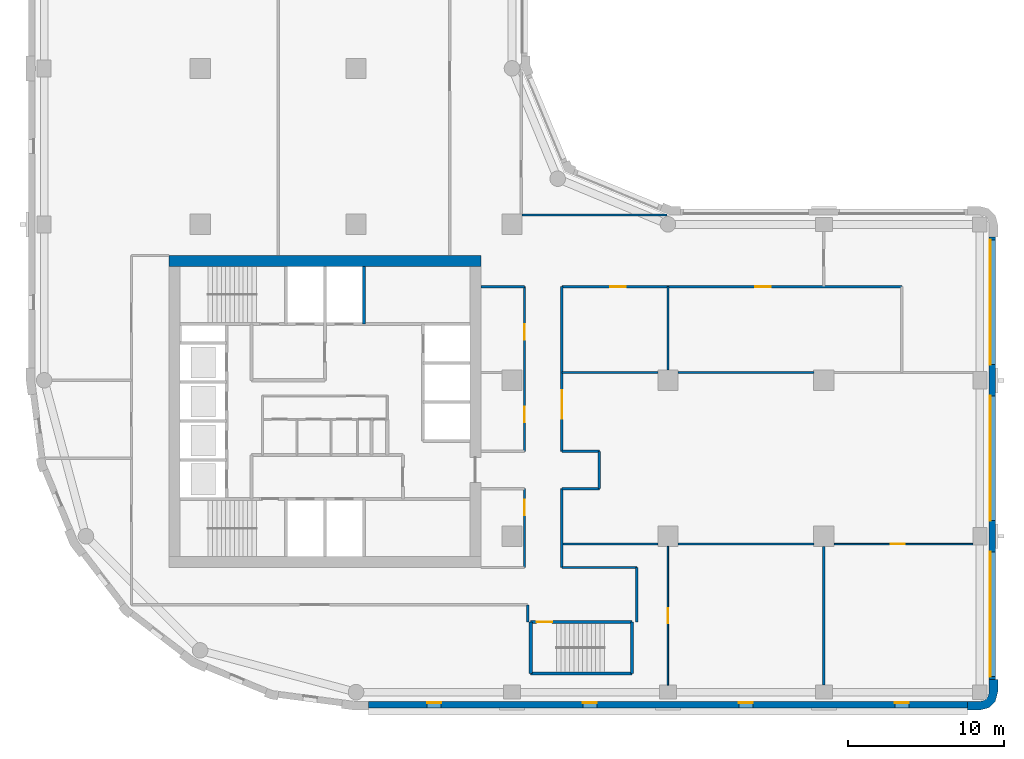
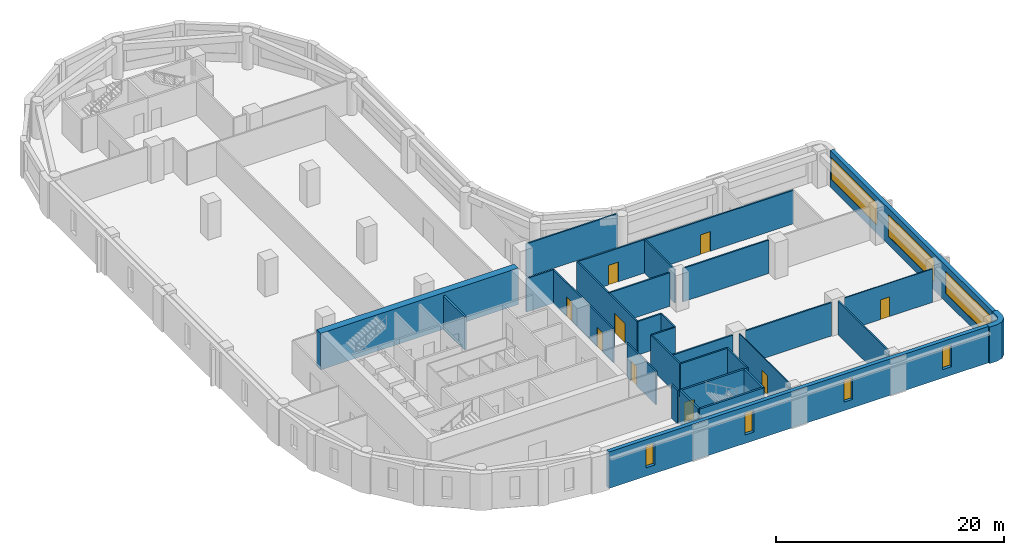
# One storey, part 4 of 9: 30 walls, 9 doors, 7 windows, 16 openings.
"""IFC4 building model written with IfcOpenShell, lengths in metres."""

import ifcopenshell
import ifcopenshell.guid

model = None  # the IFC model being written
_history = None  # IfcOwnerHistory: only IFC2X3 demands one
_inside = {}  # id of a spatial element -> (the spatial element, [elements in it])
_under = {}  # id of a project, library or spatial element -> (it, [spatial elements below it])
_declared = {}  # id of a project -> (the project, [libraries it declares])
_typed = {}  # id of a type object -> (the type object, [elements of that type])
_made_of = {}  # id of a material, layer set ... -> (it, [elements and type objects made of it])


def new_model(schema):
    """Start an empty IFC model of exactly this schema.

    Asked for "IFC4X3", IfcOpenShell would pick the latest addendum, in which some entities
    have other attributes; the version numbers below select the first issue.
    IFC2X3 requires an IfcOwnerHistory on every rooted entity: one is made here for all.
    """
    global model, _history
    if schema == "IFC4X3":
        model = ifcopenshell.file(schema_version=(4, 3, 0, 0))
    else:
        model = ifcopenshell.file(schema=schema)
    _inside.clear()
    _under.clear()
    _declared.clear()
    _typed.clear()
    _made_of.clear()
    _history = None
    if model.schema == "IFC2X3":
        org = make("IfcOrganization", Name="unknown")
        user = make(
            "IfcPersonAndOrganization",
            ThePerson=make("IfcPerson", FamilyName="unknown"),
            TheOrganization=org,
        )
        app = make(
            "IfcApplication",
            ApplicationDeveloper=org,
            Version="unknown",
            ApplicationFullName="unknown",
            ApplicationIdentifier="unknown",
        )
        _history = make(
            "IfcOwnerHistory",
            OwningUser=user,
            OwningApplication=app,
            ChangeAction="ADDED",
            CreationDate=0,
        )
    return model


def make(cls, **values):
    """One entity of the class cls with the attributes given. An attribute that is None is left unset."""
    return model.create_entity(
        cls, **{name: value for name, value in values.items() if value is not None}
    )


def rooted(cls, **values):
    """An entity with a GlobalId (a new one), such as an element, a storey or a relation."""
    return make(cls, GlobalId=ifcopenshell.guid.new(), OwnerHistory=_history, **values)


def si_unit(unit_type, name, prefix=None):
    """IfcSIUnit, for example si_unit("LENGTHUNIT", "METRE", prefix="MILLI")."""
    return make("IfcSIUnit", UnitType=unit_type, Prefix=prefix, Name=name)


def assignment(units):
    """IfcUnitAssignment: the units of a project."""
    return None if units is None else make("IfcUnitAssignment", Units=units)


def point(xyz):
    """IfcCartesianPoint."""
    return None if xyz is None else make("IfcCartesianPoint", Coordinates=xyz)


def direction(xyz):
    """IfcDirection."""
    return None if xyz is None else make("IfcDirection", DirectionRatios=xyz)


def frame(location, z_axis=None, x_axis=None):
    """IfcAxis2Placement3D, a coordinate frame: its origin and axes. An axis left out is left unset."""
    return make(
        "IfcAxis2Placement3D",
        Location=point(location),
        Axis=direction(z_axis),
        RefDirection=direction(x_axis),
    )


def frame_2d(location, x_axis=None):
    """IfcAxis2Placement2D, a coordinate frame in the plane: its origin and x axis."""
    return make(
        "IfcAxis2Placement2D", Location=point(location), RefDirection=direction(x_axis)
    )


def origin():
    """The frame at (0, 0, 0) with its axes left unset."""
    return frame((0.0, 0.0, 0.0))


def place(relative_to, where):
    """IfcLocalPlacement: puts the frame where relative to a parent placement (None: the world)."""
    return make(
        "IfcLocalPlacement", PlacementRelTo=relative_to, RelativePlacement=where
    )


def context(
    kind, dimensions, precision=None, world=None, true_north=None, identifier=None
):
    """IfcGeometricRepresentationContext, for example the 3D "Model" context."""
    return make(
        "IfcGeometricRepresentationContext",
        ContextIdentifier=identifier,
        ContextType=kind,
        CoordinateSpaceDimension=dimensions,
        Precision=precision,
        WorldCoordinateSystem=world,
        TrueNorth=true_north,
    )


def subcontext(parent, identifier, kind, view, scale=None):
    """IfcGeometricRepresentationSubContext, for example "Body" below "Model"."""
    return make(
        "IfcGeometricRepresentationSubContext",
        ContextIdentifier=identifier,
        ContextType=kind,
        ParentContext=parent,
        TargetScale=scale,
        TargetView=view,
    )


def project(units=None, contexts=None):
    """IfcProject with its units and contexts."""
    return rooted(
        "IfcProject",
        Name="project",
        RepresentationContexts=contexts,
        UnitsInContext=assignment(units),
    )


def spatial(cls, under=None, at=None, **own):
    """A site, building, storey or space (cls), placed at a placement, below another one or the project."""
    s = rooted(cls, ObjectPlacement=at, **own)
    if under is not None:
        _under.setdefault(under.id(), (under, []))[1].append(s)
    return s


def polyline(points):
    """IfcPolyline through the points."""
    return make("IfcPolyline", Points=[point(p) for p in points])


def profile(cls, at=None, kind="AREA", **sizes):
    """A parametric profile (cls). Its sizes go by their IFC names, for example OverallWidth=200.0."""
    return make(cls, ProfileType=kind, Position=at, **sizes)


def rectangle(**sizes):
    """IfcRectangleProfileDef."""
    return profile("IfcRectangleProfileDef", **sizes)


def outline(outer, holes=None, kind="AREA"):
    """IfcArbitraryClosedProfileDef: a profile drawn as a closed curve; with holes, ...WithVoids."""
    if holes is None:
        return make("IfcArbitraryClosedProfileDef", ProfileType=kind, OuterCurve=outer)
    return make(
        "IfcArbitraryProfileDefWithVoids",
        ProfileType=kind,
        OuterCurve=outer,
        InnerCurves=holes,
    )


def extrude(swept, where, along, depth):
    """IfcExtrudedAreaSolid: the profile swept, set in the frame where, extruded along a direction by depth."""
    return make(
        "IfcExtrudedAreaSolid",
        SweptArea=swept,
        Position=where,
        ExtrudedDirection=direction(along),
        Depth=depth,
    )


def shape(context_of_items, identifier, shape_type, items):
    """IfcShapeRepresentation: the items that make up one representation, for example the "Body"."""
    return make(
        "IfcShapeRepresentation",
        ContextOfItems=context_of_items,
        RepresentationIdentifier=identifier,
        RepresentationType=shape_type,
        Items=items,
    )


def material(Name=None, Category=None):
    """IfcMaterial."""
    return make("IfcMaterial", Name=Name, Category=Category)


def layer(
    of_material, thickness, ventilated=None, Name=None, Category=None, Priority=None
):
    """IfcMaterialLayer: one layer of a wall or slab, of a material (None: an air gap)."""
    return make(
        "IfcMaterialLayer",
        Material=of_material,
        LayerThickness=thickness,
        IsVentilated=ventilated,
        Name=Name,
        Category=Category,
        Priority=Priority,
    )


def layer_set(layers, Name=None):
    """IfcMaterialLayerSet."""
    return make("IfcMaterialLayerSet", MaterialLayers=layers, LayerSetName=Name)


def made_of(thing, what):
    """Note that an element or type object is made of a material, layer set ...; save() writes the relation."""
    if what is not None:
        _made_of.setdefault(what.id(), (what, []))[1].append(thing)
    return thing


def type_object(cls, material=None, **own):
    """A type object (cls), such as IfcWallType, which elements share."""
    return made_of(rooted(cls, **own), material)


def element(
    cls,
    number,
    at=None,
    inside=None,
    cuts=None,
    type_object=None,
    material=None,
    context=None,
    identifier="Body",
    shape_type=None,
    held_by="IfcProductDefinitionShape",
    body=None,
    shapes=None,
    **own,
):
    """One element of the class cls, such as IfcWall. Its Tag is "e" and its number.

    at: its placement. inside: the storey or other place that contains it. cuts: it is an
    opening in that element (IfcRelVoidsElement). A single representation is given by context,
    identifier, shape_type and body (its items); several are given by shapes. held_by: the class
    of the entity that holds the representations. save() writes the other relations.
    """
    e = rooted(cls, Tag="e%d" % number, ObjectPlacement=at, **own)
    if body is not None:
        shapes = [shape(context, identifier, shape_type, body)]
    if shapes is not None:
        e.Representation = make(held_by, Representations=shapes)
    if inside is not None:
        _inside.setdefault(inside.id(), (inside, []))[1].append(e)
    if cuts is not None:
        rooted(
            "IfcRelVoidsElement", RelatingBuildingElement=cuts, RelatedOpeningElement=e
        )
    if type_object is not None:
        _typed.setdefault(type_object.id(), (type_object, []))[1].append(e)
    return made_of(e, material)


def fill(opening, filler):
    """IfcRelFillsElement: the door or window that sits in an opening."""
    return rooted(
        "IfcRelFillsElement",
        RelatingOpeningElement=opening,
        RelatedBuildingElement=filler,
    )


def aggregate(whole, parts):
    """IfcRelAggregates: a whole, such as a stair, and the parts it consists of."""
    return rooted("IfcRelAggregates", RelatingObject=whole, RelatedObjects=parts)


def save(model, path):
    """Write the relations noted so far, then the file.

    IfcRelAggregates (storeys below a building ...), IfcRelContainedInSpatialStructure (elements
    in a storey), IfcRelDefinesByType, IfcRelAssociatesMaterial and IfcRelDeclares: one each for
    every whole, place, type object, material and project.
    """
    for whole, parts in _under.values():
        aggregate(whole, parts)
    for where, things in _inside.values():
        rooted(
            "IfcRelContainedInSpatialStructure",
            RelatedElements=things,
            RelatingStructure=where,
        )
    for kind, things in _typed.values():
        rooted("IfcRelDefinesByType", RelatedObjects=things, RelatingType=kind)
    for what, things in _made_of.values():
        rooted("IfcRelAssociatesMaterial", RelatedObjects=things, RelatingMaterial=what)
    for by, libraries in _declared.values():
        rooted("IfcRelDeclares", RelatingContext=by, RelatedDefinitions=libraries)
    model.write(path)


model = new_model("IFC4")

# Units and contexts
model_context = context("Model", 3, precision=1e-05, world=origin(), true_north=direction((0.0, 1.0)))
body_context = subcontext(model_context, "Body", "Model", "MODEL_VIEW")
ifc_project = project(units=[si_unit("LENGTHUNIT", "METRE"), si_unit("AREAUNIT", "SQUARE_METRE"), si_unit("VOLUMEUNIT", "CUBIC_METRE"), si_unit("PLANEANGLEUNIT", "RADIAN"), si_unit("MASSUNIT", "GRAM", prefix="KILO")], contexts=[model_context])

# Site, building, storey
site_placement = place(None, origin())
site = spatial("IfcSite", under=ifc_project, at=site_placement, CompositionType="ELEMENT")
building_placement = place(site_placement, origin())
building = spatial("IfcBuilding", under=site, at=building_placement, Name="Qaws Garden Tower", CompositionType="ELEMENT")
storey_placement = place(building_placement, frame((0.0, 0.0, 213.60009765625)))
storey = spatial("IfcBuildingStorey", under=building, at=storey_placement, Name="L52", CompositionType="ELEMENT", Elevation=213.60009765625)

# Wall
ifc_material_1 = material(Name="Clay facing brick masonry", Category="masonry")
ifc_layer_1 = layer(ifc_material_1, 0.550048828125)
ifc_layer_set_1 = layer_set([ifc_layer_1], Name="Clay facing brick masonry")
wall_type_1 = type_object("IfcWallType", Name="Brick corner pier 550 x 2400", PredefinedType="SOLIDWALL", material=ifc_layer_set_1)
wall_1_placement = place(storey_placement, origin())
element("IfcWall", 1, at=wall_1_placement, inside=storey, type_object=wall_type_1, Name="E-L52-pier-04", PredefinedType="SOLIDWALL", context=body_context, shape_type="SweptSolid", body=[
    extrude(outline(polyline([(59.199951171875, -1.0), (59.199951171875, -1.14990234375), (60.0, -1.14990234375), (60.574951171875, -0.995849609375), (60.995849609375, -0.574951171875), (61.14990234375, 0.0), (61.14990234375, 0.800048828125), (61.0, 0.800048828125), (60.60009765625, 0.800048828125), (60.60009765625, 0.0), (60.51953125, -0.300048828125), (60.300048828125, -0.51953125), (60.0, -0.60009765625), (59.199951171875, -0.60009765625), (59.199951171875, -1.0)])), origin(), (0.0, 0.0, 1.0), 3.89990234375),
])

# Wall, openings, windows
ifc_material_2 = material(Name="Clay facing brick masonry", Category="masonry")
ifc_layer_2 = layer(ifc_material_2, 0.39990234375)
ifc_layer_set_2 = layer_set([ifc_layer_2], Name="Clay facing brick masonry")
wall_type_2 = type_object("IfcWallType", Name="Brick infill wall 400", PredefinedType="SOLIDWALL", material=ifc_layer_set_2)
wall_2_placement = place(storey_placement, frame((20.800048828125, -0.800048828125, 0.0), z_axis=(0.0, 0.0, 1.0), x_axis=(1.0, 0.0, 0.0)))
wall_2 = element("IfcWall", 2, at=wall_2_placement, inside=storey, type_object=wall_type_2, Name="E-L52-infill-00", PredefinedType="SOLIDWALL", context=body_context, shape_type="SweptSolid", body=[
    extrude(rectangle(XDim=38.39990234375, YDim=0.39990234375, at=frame_2d((19.199951171875, 0.0))), origin(), (0.0, 0.0, 1.0), 3.89990234375),
])
opening_1_placement = place(wall_2_placement, frame((3.75, 0.0, 0.89990234375)))
opening_1 = element("IfcOpeningElement", 3, at=opening_1_placement, cuts=wall_2, Name="Opening W09", PredefinedType="OPENING", context=body_context, shape_type="SweptSolid", body=[
    extrude(rectangle(XDim=0.89990234375, YDim=2.35009765625, at=frame_2d((0.449951171875, 1.175048828125))), frame((0.0, 0.2099609375, 0.0), z_axis=(0.0, -1.0, 0.0), x_axis=(1.0, 0.0, 0.0)), (0.0, 0.0, 1.0), 0.419921875),
])
opening_2_placement = place(wall_2_placement, frame((13.75, 0.0, 0.89990234375)))
opening_2 = element("IfcOpeningElement", 4, at=opening_2_placement, cuts=wall_2, Name="Opening W09", PredefinedType="OPENING", context=body_context, shape_type="SweptSolid", body=[
    extrude(rectangle(XDim=0.89990234375, YDim=2.35009765625, at=frame_2d((0.449951171875, 1.175048828125))), frame((0.0, 0.2099609375, 0.0), z_axis=(0.0, -1.0, 0.0), x_axis=(1.0, 0.0, 0.0)), (0.0, 0.0, 1.0), 0.419921875),
])
opening_3_placement = place(wall_2_placement, frame((23.75, 0.0, 0.89990234375)))
opening_3 = element("IfcOpeningElement", 5, at=opening_3_placement, cuts=wall_2, Name="Opening W09", PredefinedType="OPENING", context=body_context, shape_type="SweptSolid", body=[
    extrude(rectangle(XDim=0.89990234375, YDim=2.35009765625, at=frame_2d((0.449951171875, 1.175048828125))), frame((0.0, 0.2099609375, 0.0), z_axis=(0.0, -1.0, 0.0), x_axis=(1.0, 0.0, 0.0)), (0.0, 0.0, 1.0), 0.419921875),
])
opening_4_placement = place(wall_2_placement, frame((33.75, 0.0, 0.89990234375)))
opening_4 = element("IfcOpeningElement", 6, at=opening_4_placement, cuts=wall_2, Name="Opening W09", PredefinedType="OPENING", context=body_context, shape_type="SweptSolid", body=[
    extrude(rectangle(XDim=0.89990234375, YDim=2.35009765625, at=frame_2d((0.449951171875, 1.175048828125))), frame((0.0, 0.2099609375, 0.0), z_axis=(0.0, -1.0, 0.0), x_axis=(1.0, 0.0, 0.0)), (0.0, 0.0, 1.0), 0.419921875),
])
ifc_material_3 = material(Name="Aluminium framed window, clear glazing", Category="aluminium")
window_type_1 = type_object("IfcWindowType", Name="Slit window 900 x 2350", PartitioningType="SINGLE_PANEL", PredefinedType="WINDOW", material=ifc_material_3)
window_1_placement = place(opening_1_placement, origin())
window_1 = element("IfcWindow", 7, at=window_1_placement, inside=storey, type_object=window_type_1, Name="E-L52-window-00-0", OverallHeight=2.35009765625, OverallWidth=0.89990234375, PartitioningType="SINGLE_PANEL", PredefinedType="WINDOW", context=body_context, shape_type="SweptSolid", body=[
    extrude(rectangle(XDim=0.89990234375, YDim=2.35009765625, at=frame_2d((0.449951171875, 1.175048828125))), frame((0.0, 0.159912109375, 0.0), z_axis=(0.0, -1.0, 0.0), x_axis=(1.0, 0.0, 0.0)), (0.0, 0.0, 1.0), 0.06005859375),
])
fill(opening_1, window_1)
window_2_placement = place(opening_2_placement, origin())
window_2 = element("IfcWindow", 8, at=window_2_placement, inside=storey, type_object=window_type_1, Name="E-L52-window-01-0", OverallHeight=2.35009765625, OverallWidth=0.89990234375, PartitioningType="SINGLE_PANEL", PredefinedType="WINDOW", context=body_context, shape_type="SweptSolid", body=[
    extrude(rectangle(XDim=0.89990234375, YDim=2.35009765625, at=frame_2d((0.449951171875, 1.175048828125))), frame((0.0, 0.159912109375, 0.0), z_axis=(0.0, -1.0, 0.0), x_axis=(1.0, 0.0, 0.0)), (0.0, 0.0, 1.0), 0.06005859375),
])
fill(opening_2, window_2)
window_3_placement = place(opening_3_placement, origin())
window_3 = element("IfcWindow", 9, at=window_3_placement, inside=storey, type_object=window_type_1, Name="E-L52-window-02-0", OverallHeight=2.35009765625, OverallWidth=0.89990234375, PartitioningType="SINGLE_PANEL", PredefinedType="WINDOW", context=body_context, shape_type="SweptSolid", body=[
    extrude(rectangle(XDim=0.89990234375, YDim=2.35009765625, at=frame_2d((0.449951171875, 1.175048828125))), frame((0.0, 0.159912109375, 0.0), z_axis=(0.0, -1.0, 0.0), x_axis=(1.0, 0.0, 0.0)), (0.0, 0.0, 1.0), 0.06005859375),
])
fill(opening_3, window_3)
window_4_placement = place(opening_4_placement, origin())
window_4 = element("IfcWindow", 10, at=window_4_placement, inside=storey, type_object=window_type_1, Name="E-L52-window-03-0", OverallHeight=2.35009765625, OverallWidth=0.89990234375, PartitioningType="SINGLE_PANEL", PredefinedType="WINDOW", context=body_context, shape_type="SweptSolid", body=[
    extrude(rectangle(XDim=0.89990234375, YDim=2.35009765625, at=frame_2d((0.449951171875, 1.175048828125))), frame((0.0, 0.159912109375, 0.0), z_axis=(0.0, -1.0, 0.0), x_axis=(1.0, 0.0, 0.0)), (0.0, 0.0, 1.0), 0.06005859375),
])
fill(opening_4, window_4)

wall_3_placement = place(storey_placement, frame((60.800048828125, 0.800048828125, 0.0), z_axis=(0.0, 0.0, 1.0), x_axis=(0.0, 1.0, 0.0)))
wall_3 = element("IfcWall", 11, at=wall_3_placement, inside=storey, type_object=wall_type_2, Name="E-L52-infill-04", PredefinedType="SOLIDWALL", context=body_context, shape_type="SweptSolid", body=[
    extrude(rectangle(XDim=28.39990234375, YDim=0.39990234375, at=frame_2d((14.199951171875, 0.0))), origin(), (0.0, 0.0, 1.0), 3.89990234375),
])
opening_5_placement = place(wall_3_placement, frame((0.199951171875, 0.0, 0.89990234375)))
opening_5 = element("IfcOpeningElement", 12, at=opening_5_placement, cuts=wall_3, Name="Opening W01", PredefinedType="OPENING", context=body_context, shape_type="SweptSolid", body=[
    extrude(rectangle(XDim=8.0, YDim=2.35009765625, at=frame_2d((4.0, 1.175048828125))), frame((0.0, 0.2099609375, 0.0), z_axis=(0.0, -1.0, 0.0), x_axis=(1.0, 0.0, 0.0)), (0.0, 0.0, 1.0), 0.419921875),
])
opening_6_placement = place(wall_3_placement, frame((10.199951171875, 0.0, 0.89990234375)))
opening_6 = element("IfcOpeningElement", 13, at=opening_6_placement, cuts=wall_3, Name="Opening W01", PredefinedType="OPENING", context=body_context, shape_type="SweptSolid", body=[
    extrude(rectangle(XDim=8.0, YDim=2.35009765625, at=frame_2d((4.0, 1.175048828125))), frame((0.0, 0.2099609375, 0.0), z_axis=(0.0, -1.0, 0.0), x_axis=(1.0, 0.0, 0.0)), (0.0, 0.0, 1.0), 0.419921875),
])
opening_7_placement = place(wall_3_placement, frame((20.199951171875, 0.0, 0.89990234375)))
opening_7 = element("IfcOpeningElement", 14, at=opening_7_placement, cuts=wall_3, Name="Opening W01", PredefinedType="OPENING", context=body_context, shape_type="SweptSolid", body=[
    extrude(rectangle(XDim=8.0, YDim=2.35009765625, at=frame_2d((4.0, 1.175048828125))), frame((0.0, 0.2099609375, 0.0), z_axis=(0.0, -1.0, 0.0), x_axis=(1.0, 0.0, 0.0)), (0.0, 0.0, 1.0), 0.419921875),
])
ifc_material_4 = material(Name="Aluminium framed window, clear glazing", Category="aluminium")
window_type_2 = type_object("IfcWindowType", Name="Ribbon window 8000 x 2350", PartitioningType="DOUBLE_PANEL_VERTICAL", PredefinedType="WINDOW", material=ifc_material_4)
window_5_placement = place(opening_5_placement, origin())
window_5 = element("IfcWindow", 15, at=window_5_placement, inside=storey, type_object=window_type_2, Name="E-L52-window-04-0", OverallHeight=2.35009765625, OverallWidth=8.0, PartitioningType="SINGLE_PANEL", PredefinedType="WINDOW", context=body_context, shape_type="SweptSolid", body=[
    extrude(rectangle(XDim=8.0, YDim=2.35009765625, at=frame_2d((4.0, 1.175048828125))), frame((0.0, 0.159912109375, 0.0), z_axis=(0.0, -1.0, 0.0), x_axis=(1.0, 0.0, 0.0)), (0.0, 0.0, 1.0), 0.06005859375),
])
fill(opening_5, window_5)
window_6_placement = place(opening_6_placement, origin())
window_6 = element("IfcWindow", 16, at=window_6_placement, inside=storey, type_object=window_type_2, Name="E-L52-window-05-0", OverallHeight=2.35009765625, OverallWidth=8.0, PartitioningType="SINGLE_PANEL", PredefinedType="WINDOW", context=body_context, shape_type="SweptSolid", body=[
    extrude(rectangle(XDim=8.0, YDim=2.35009765625, at=frame_2d((4.0, 1.175048828125))), frame((0.0, 0.159912109375, 0.0), z_axis=(0.0, -1.0, 0.0), x_axis=(1.0, 0.0, 0.0)), (0.0, 0.0, 1.0), 0.06005859375),
])
fill(opening_6, window_6)
window_7_placement = place(opening_7_placement, origin())
window_7 = element("IfcWindow", 17, at=window_7_placement, inside=storey, type_object=window_type_2, Name="E-L52-window-06-0", OverallHeight=2.35009765625, OverallWidth=8.0, PartitioningType="SINGLE_PANEL", PredefinedType="WINDOW", context=body_context, shape_type="SweptSolid", body=[
    extrude(rectangle(XDim=8.0, YDim=2.35009765625, at=frame_2d((4.0, 1.175048828125))), frame((0.0, 0.159912109375, 0.0), z_axis=(0.0, -1.0, 0.0), x_axis=(1.0, 0.0, 0.0)), (0.0, 0.0, 1.0), 0.06005859375),
])
fill(opening_7, window_7)

# Wall
ifc_material_5 = material(Name="Concrete C70", Category="concrete")
ifc_layer_3 = layer(ifc_material_5, 0.199951171875)
ifc_layer_set_3 = layer_set([ifc_layer_3], Name="Concrete C70")
wall_type_3 = type_object("IfcWallType", Name="Core shaft wall 200 C70", PredefinedType="SHEAR", material=ifc_layer_set_3)
wall_4_placement = place(storey_placement, frame((31.199951171875, 1.199951171875, 0.0), z_axis=(0.0, 0.0, 1.0), x_axis=(1.0, 0.0, 0.0)))
element("IfcWall", 18, at=wall_4_placement, inside=storey, type_object=wall_type_3, Name="Shaft wall", PredefinedType="SHEAR", context=body_context, shape_type="SweptSolid", body=[
    extrude(rectangle(XDim=6.5, YDim=0.199951171875, at=frame_2d((3.25, 0.0))), origin(), (0.0, 0.0, 1.0), 3.579833984375),
])

# Wall, opening, door
wall_5_placement = place(storey_placement, frame((31.199951171875, 4.5, 0.0), z_axis=(0.0, 0.0, 1.0), x_axis=(1.0, 0.0, 0.0)))
wall_5 = element("IfcWall", 19, at=wall_5_placement, inside=storey, type_object=wall_type_3, Name="Shaft wall", PredefinedType="SHEAR", context=body_context, shape_type="SweptSolid", body=[
    extrude(rectangle(XDim=6.5, YDim=0.199951171875, at=frame_2d((3.25, 0.0))), origin(), (0.0, 0.0, 1.0), 3.579833984375),
])
opening_8_placement = place(wall_5_placement, frame((0.375, 0.0, 0.0)))
opening_8 = element("IfcOpeningElement", 20, at=opening_8_placement, cuts=wall_5, Name="Opening SD12", PredefinedType="OPENING", context=body_context, shape_type="SweptSolid", body=[
    extrude(rectangle(XDim=1.0, YDim=2.10009765625, at=frame_2d((0.5, 1.050048828125))), frame((0.0, 0.10986328125, 0.0), z_axis=(0.0, -1.0, 0.0), x_axis=(1.0, 0.0, 0.0)), (0.0, 0.0, 1.0), 0.219970703125),
])
ifc_material_6 = material(Name="Steel S235", Category="steel")
door_type_1 = type_object("IfcDoorType", Name="Stair door 1000x2100", OperationType="SINGLE_SWING_RIGHT", PredefinedType="DOOR", material=ifc_material_6)
door_1_placement = place(opening_8_placement, frame((1.0, 0.0, 0.0), z_axis=(0.0, 0.0, 1.0), x_axis=(-1.0, 0.0, 0.0)))
door_1 = element("IfcDoor", 21, at=door_1_placement, inside=storey, type_object=door_type_1, Name="Stair 5 door", OperationType="SINGLE_SWING_RIGHT", OverallHeight=2.10009765625, OverallWidth=1.0, PredefinedType="DOOR", context=body_context, shape_type="SweptSolid", body=[
    extrude(rectangle(XDim=1.0, YDim=2.10009765625, at=frame_2d((0.5, 1.050048828125))), frame((0.0, 0.02490234375, 0.0), z_axis=(0.0, -1.0, 0.0), x_axis=(1.0, 0.0, 0.0)), (0.0, 0.0, 1.0), 0.050048828125),
])
fill(opening_8, door_1)

# Walls
wall_6_placement = place(storey_placement, frame((20.5, 23.60009765625, 0.0), z_axis=(0.0, 0.0, 1.0), x_axis=(0.0, 1.0, 0.0)))
element("IfcWall", 22, at=wall_6_placement, inside=storey, type_object=wall_type_3, Name="Shaft wall", PredefinedType="SHEAR", context=body_context, shape_type="SweptSolid", body=[
    extrude(rectangle(XDim=3.699951171875, YDim=0.199951171875, at=frame_2d((1.85009765625, 0.0))), origin(), (0.0, 0.0, 1.0), 3.579833984375),
])
for number, where, z_axis, x_axis, name in (
    (23, (31.199951171875, 1.199951171875, 0.0), (0.0, 0.0, 1.0), (0.0, 1.0, 0.0), "Shaft wall"),
    (24, (37.699951171875, 1.199951171875, 0.0), (0.0, 0.0, 1.0), (0.0, 1.0, 0.0), "Shaft wall"),
):
    element("IfcWall", number, at=place(storey_placement, frame(where, z_axis=z_axis, x_axis=x_axis)), inside=storey, type_object=wall_type_3, Name=name, PredefinedType="SHEAR", context=body_context, shape_type="SweptSolid", body=[
        extrude(rectangle(XDim=3.300048828125, YDim=0.199951171875, at=frame_2d((1.64990234375, 0.0))), origin(), (0.0, 0.0, 1.0), 3.579833984375),
    ])
ifc_material_7 = material(Name="Concrete C70", Category="concrete")
ifc_layer_4 = layer(ifc_material_7, 0.699951171875)
ifc_layer_set_4 = layer_set([ifc_layer_4], Name="Concrete C70")
wall_type_4 = type_object("IfcWallType", Name="Core wall 700 C70", PredefinedType="SHEAR", material=ifc_layer_set_4)
wall_7_placement = place(storey_placement, frame((28.0, 27.64990234375, 0.0), z_axis=(0.0, 0.0, 1.0), x_axis=(-1.0, 0.0, 0.0)))
element("IfcWall", 25, at=wall_7_placement, inside=storey, type_object=wall_type_4, Name="Core wall L52 north", PredefinedType="SHEAR", context=body_context, shape_type="SweptSolid", body=[
    extrude(rectangle(XDim=20.0, YDim=0.699951171875, at=frame_2d((10.0, 0.0))), origin(), (0.0, 0.0, 1.0), 3.89990234375),
])

# Wall, opening, door
ifc_material_8 = material(Name="Gypsum board partition")
ifc_layer_5 = layer(ifc_material_8, 0.10009765625)
ifc_layer_set_5 = layer_set([ifc_layer_5], Name="Gypsum board partition")
wall_type_5 = type_object("IfcWallType", Name="PARTITION 100", PredefinedType="PARTITIONING", material=ifc_layer_set_5)
wall_8_placement = place(storey_placement, frame((40.0, 0.449951171875, 0.0), z_axis=(0.0, 0.0, 1.0), x_axis=(0.0, 1.0, 0.0)))
wall_8 = element("IfcWall", 26, at=wall_8_placement, inside=storey, type_object=wall_type_5, Name="O-L52-wall-001", PredefinedType="PARTITIONING", context=body_context, shape_type="SweptSolid", body=[
    extrude(rectangle(XDim=8.900146484375, YDim=0.10009765625, at=frame_2d((4.4501953125, 0.0))), origin(), (0.0, 0.0, 1.0), 3.579833984375),
])
opening_9_placement = place(wall_8_placement, frame((3.97509765625, 0.0, 0.0)))
opening_9 = element("IfcOpeningElement", 27, at=opening_9_placement, cuts=wall_8, Name="Opening B816", PredefinedType="OPENING", context=body_context, shape_type="SweptSolid", body=[
    extrude(rectangle(XDim=0.949951171875, YDim=2.10009765625, at=frame_2d((0.47509765625, 1.050048828125))), frame((0.0, 0.06005859375, 0.0), z_axis=(0.0, -1.0, 0.0), x_axis=(1.0, 0.0, 0.0)), (0.0, 0.0, 1.0), 0.1201171875),
])
ifc_material_9 = material(Name="Timber and glass door leaf", Category="wood")
door_type_2 = type_object("IfcDoorType", Name="GLAZED DOOR 950 X 2100", OperationType="SINGLE_SWING_LEFT", PredefinedType="DOOR", material=ifc_material_9)
door_2_placement = place(opening_9_placement, frame((0.949951171875, 0.0, 0.0), z_axis=(0.0, 0.0, 1.0), x_axis=(-1.0, 0.0, 0.0)))
door_2 = element("IfcDoor", 28, at=door_2_placement, inside=storey, type_object=door_type_2, Name="O-L52-door-016", OperationType="SINGLE_SWING_LEFT", OverallHeight=2.10009765625, OverallWidth=0.949951171875, PredefinedType="DOOR", context=body_context, shape_type="SweptSolid", body=[
    extrude(rectangle(XDim=0.949951171875, YDim=2.10009765625, at=frame_2d((0.47509765625, 1.050048828125))), frame((0.0, 0.02490234375, 0.0), z_axis=(0.0, -1.0, 0.0), x_axis=(1.0, 0.0, 0.0)), (0.0, 0.0, 1.0), 0.050048828125),
])
fill(opening_9, door_2)

wall_9_placement = place(storey_placement, frame((50.64990234375, 9.5, 0.0), z_axis=(0.0, 0.0, 1.0), x_axis=(1.0, 0.0, 0.0)))
wall_9 = element("IfcWall", 29, at=wall_9_placement, inside=storey, type_object=wall_type_5, Name="O-L52-wall-002", PredefinedType="PARTITIONING", context=body_context, shape_type="SweptSolid", body=[
    extrude(rectangle(XDim=8.900146484375, YDim=0.10009765625, at=frame_2d((4.4501953125, 0.0))), origin(), (0.0, 0.0, 1.0), 3.579833984375),
])
opening_10_placement = place(wall_9_placement, frame((3.64990234375, 0.0, 0.0)))
opening_10 = element("IfcOpeningElement", 30, at=opening_10_placement, cuts=wall_9, Name="Opening B815", PredefinedType="OPENING", context=body_context, shape_type="SweptSolid", body=[
    extrude(rectangle(XDim=0.89990234375, YDim=2.10009765625, at=frame_2d((0.449951171875, 1.050048828125))), frame((0.0, 0.06005859375, 0.0), z_axis=(0.0, -1.0, 0.0), x_axis=(1.0, 0.0, 0.0)), (0.0, 0.0, 1.0), 0.1201171875),
])
ifc_material_10 = material(Name="Timber door leaf", Category="wood")
door_type_3 = type_object("IfcDoorType", Name="OFFICE DOOR 900 X 2100", OperationType="SINGLE_SWING_LEFT", PredefinedType="DOOR", material=ifc_material_10)
door_3_placement = place(opening_10_placement, frame((0.89990234375, 0.0, 0.0), z_axis=(0.0, 0.0, 1.0), x_axis=(-1.0, 0.0, 0.0)))
door_3 = element("IfcDoor", 31, at=door_3_placement, inside=storey, type_object=door_type_3, Name="O-L52-door-015", OperationType="SINGLE_SWING_RIGHT", OverallHeight=2.10009765625, OverallWidth=0.89990234375, PredefinedType="DOOR", context=body_context, shape_type="SweptSolid", body=[
    extrude(rectangle(XDim=0.89990234375, YDim=2.10009765625, at=frame_2d((0.449951171875, 1.050048828125))), frame((0.0, 0.02490234375, 0.0), z_axis=(0.0, -1.0, 0.0), x_axis=(1.0, 0.0, 0.0)), (0.0, 0.0, 1.0), 0.050048828125),
])
fill(opening_10, door_3)

ifc_material_11 = material(Name="Gypsum board partition")
ifc_layer_6 = layer(ifc_material_11, 0.14990234375)
ifc_layer_set_6 = layer_set([ifc_layer_6], Name="Gypsum board partition")
wall_type_6 = type_object("IfcWallType", Name="PARTITION 150 EI 60", PredefinedType="PARTITIONING", material=ifc_layer_set_6)
wall_10_placement = place(storey_placement, frame((30.800048828125, 8.0009765625, 0.0), z_axis=(0.0, 0.0, 1.0), x_axis=(0.0, 1.0, 0.0)))
wall_10 = element("IfcWall", 32, at=wall_10_placement, inside=storey, type_object=wall_type_6, Name="O-L52-wall-010", PredefinedType="PARTITIONING", context=body_context, shape_type="SweptSolid", body=[
    extrude(rectangle(XDim=5.048095703125, YDim=0.14990234375, at=frame_2d((2.52392578125, 0.0))), origin(), (0.0, 0.0, 1.0), 3.579833984375),
])
opening_11_placement = place(wall_10_placement, frame((3.35009765625, 0.0, 0.0)))
opening_11 = element("IfcOpeningElement", 33, at=opening_11_placement, cuts=wall_10, Name="Opening B812", PredefinedType="OPENING", context=body_context, shape_type="SweptSolid", body=[
    extrude(rectangle(XDim=1.0, YDim=2.10009765625, at=frame_2d((0.5, 1.050048828125))), frame((0.0, 0.0849609375, 0.0), z_axis=(0.0, -1.0, 0.0), x_axis=(1.0, 0.0, 0.0)), (0.0, 0.0, 1.0), 0.169921875),
])
ifc_material_12 = material(Name="Timber door leaf", Category="wood")
door_type_4 = type_object("IfcDoorType", Name="TENANCY ENTRANCE DOOR 1000 X 2100", OperationType="SINGLE_SWING_LEFT", PredefinedType="DOOR", material=ifc_material_12)
door_4_placement = place(opening_11_placement, origin())
door_4 = element("IfcDoor", 34, at=door_4_placement, inside=storey, type_object=door_type_4, Name="O-L52-door-012", OperationType="SINGLE_SWING_RIGHT", OverallHeight=2.10009765625, OverallWidth=1.0, PredefinedType="DOOR", context=body_context, shape_type="SweptSolid", body=[
    extrude(rectangle(XDim=1.0, YDim=2.10009765625, at=frame_2d((0.5, 1.050048828125))), frame((0.0, 0.02490234375, 0.0), z_axis=(0.0, -1.0, 0.0), x_axis=(1.0, 0.0, 0.0)), (0.0, 0.0, 1.0), 0.050048828125),
])
fill(opening_11, door_4)

# Wall, openings, doors
wall_11_placement = place(storey_placement, frame((30.800048828125, 15.449951171875, 0.0), z_axis=(0.0, 0.0, 1.0), x_axis=(0.0, 1.0, 0.0)))
wall_11 = element("IfcWall", 35, at=wall_11_placement, inside=storey, type_object=wall_type_6, Name="O-L52-wall-011", PredefinedType="PARTITIONING", context=body_context, shape_type="SweptSolid", body=[
    extrude(rectangle(XDim=10.550048828125, YDim=0.14990234375, at=frame_2d((5.27490234375, 0.0))), origin(), (0.0, 0.0, 1.0), 3.579833984375),
])
opening_12_placement = place(wall_11_placement, frame((7.14990234375, 0.0, 0.0)))
opening_12 = element("IfcOpeningElement", 36, at=opening_12_placement, cuts=wall_11, Name="Opening B809", PredefinedType="OPENING", context=body_context, shape_type="SweptSolid", body=[
    extrude(rectangle(XDim=1.0, YDim=2.10009765625, at=frame_2d((0.5, 1.050048828125))), frame((0.0, 0.0849609375, 0.0), z_axis=(0.0, -1.0, 0.0), x_axis=(1.0, 0.0, 0.0)), (0.0, 0.0, 1.0), 0.169921875),
])
opening_13_placement = place(wall_11_placement, frame((1.85009765625, 0.0, 0.0)))
opening_13 = element("IfcOpeningElement", 37, at=opening_13_placement, cuts=wall_11, Name="Opening B814", PredefinedType="OPENING", context=body_context, shape_type="SweptSolid", body=[
    extrude(rectangle(XDim=1.0, YDim=2.10009765625, at=frame_2d((0.5, 1.050048828125))), frame((0.0, 0.0849609375, 0.0), z_axis=(0.0, -1.0, 0.0), x_axis=(1.0, 0.0, 0.0)), (0.0, 0.0, 1.0), 0.169921875),
])
door_5_placement = place(opening_12_placement, origin())
door_5 = element("IfcDoor", 38, at=door_5_placement, inside=storey, type_object=door_type_4, Name="O-L52-door-009", OperationType="SINGLE_SWING_RIGHT", OverallHeight=2.10009765625, OverallWidth=1.0, PredefinedType="DOOR", context=body_context, shape_type="SweptSolid", body=[
    extrude(rectangle(XDim=1.0, YDim=2.10009765625, at=frame_2d((0.5, 1.050048828125))), frame((0.0, 0.02490234375, 0.0), z_axis=(0.0, -1.0, 0.0), x_axis=(1.0, 0.0, 0.0)), (0.0, 0.0, 1.0), 0.050048828125),
])
fill(opening_12, door_5)
door_6_placement = place(opening_13_placement, origin())
door_6 = element("IfcDoor", 39, at=door_6_placement, inside=storey, type_object=door_type_4, Name="O-L52-door-014", OperationType="SINGLE_SWING_RIGHT", OverallHeight=2.10009765625, OverallWidth=1.0, PredefinedType="DOOR", context=body_context, shape_type="SweptSolid", body=[
    extrude(rectangle(XDim=1.0, YDim=2.10009765625, at=frame_2d((0.5, 1.050048828125))), frame((0.0, 0.02490234375, 0.0), z_axis=(0.0, -1.0, 0.0), x_axis=(1.0, 0.0, 0.0)), (0.0, 0.0, 1.0), 0.050048828125),
])
fill(opening_13, door_6)

# Walls
wall_12_placement = place(storey_placement, frame((31.0, 4.5, 0.0), z_axis=(0.0, 0.0, 1.0), x_axis=(0.0, 1.0, 0.0)))
element("IfcWall", 40, at=wall_12_placement, inside=storey, type_object=wall_type_6, Name="O-L52-wall-012", PredefinedType="PARTITIONING", context=body_context, shape_type="SweptSolid", body=[
    extrude(rectangle(XDim=1.10009765625, YDim=0.14990234375, at=frame_2d((0.550048828125, 0.0))), origin(), (0.0, 0.0, 1.0), 3.579833984375),
])
wall_13_placement = place(storey_placement, frame((33.199951171875, 8.0, 0.0), z_axis=(0.0, 0.0, 1.0), x_axis=(0.0, 1.0, 0.0)))
element("IfcWall", 41, at=wall_13_placement, inside=storey, type_object=wall_type_6, Name="O-L52-wall-013", PredefinedType="PARTITIONING", context=body_context, shape_type="SweptSolid", body=[
    extrude(rectangle(XDim=5.050048828125, YDim=0.14990234375, at=frame_2d((2.52490234375, 0.0))), origin(), (0.0, 0.0, 1.0), 3.579833984375),
])

# Wall, opening, door
wall_14_placement = place(storey_placement, frame((33.199951171875, 15.449951171875, 0.0), z_axis=(0.0, 0.0, 1.0), x_axis=(0.0, 1.0, 0.0)))
wall_14 = element("IfcWall", 42, at=wall_14_placement, inside=storey, type_object=wall_type_6, Name="O-L52-wall-014", PredefinedType="PARTITIONING", context=body_context, shape_type="SweptSolid", body=[
    extrude(rectangle(XDim=10.550048828125, YDim=0.14990234375, at=frame_2d((5.27490234375, 0.0))), origin(), (0.0, 0.0, 1.0), 3.579833984375),
])
opening_14_placement = place(wall_14_placement, frame((2.10009765625, 0.0, 0.0)))
opening_14 = element("IfcOpeningElement", 43, at=opening_14_placement, cuts=wall_14, Name="Opening B813", PredefinedType="OPENING", context=body_context, shape_type="SweptSolid", body=[
    extrude(rectangle(XDim=1.800048828125, YDim=2.10009765625, at=frame_2d((0.89990234375, 1.050048828125))), frame((0.0, 0.0849609375, 0.0), z_axis=(0.0, -1.0, 0.0), x_axis=(1.0, 0.0, 0.0)), (0.0, 0.0, 1.0), 0.169921875),
])
ifc_material_13 = material(Name="Timber door leaf", Category="wood")
door_type_5 = type_object("IfcDoorType", Name="DOUBLE DOOR 1800 X 2100", OperationType="DOUBLE_DOOR_SINGLE_SWING", PredefinedType="DOOR", material=ifc_material_13)
door_7_placement = place(opening_14_placement, frame((1.800048828125, 0.0, 0.0), z_axis=(0.0, 0.0, 1.0), x_axis=(-1.0, 0.0, 0.0)))
door_7 = element("IfcDoor", 44, at=door_7_placement, inside=storey, type_object=door_type_5, Name="O-L52-door-013", OperationType="DOUBLE_DOOR_SINGLE_SWING", OverallHeight=2.10009765625, OverallWidth=1.800048828125, PredefinedType="DOOR", context=body_context, shape_type="SweptSolid", body=[
    extrude(rectangle(XDim=1.800048828125, YDim=2.10009765625, at=frame_2d((0.89990234375, 1.050048828125))), frame((0.0, 0.02490234375, 0.0), z_axis=(0.0, -1.0, 0.0), x_axis=(1.0, 0.0, 0.0)), (0.0, 0.0, 1.0), 0.050048828125),
])
fill(opening_14, door_7)

# Walls
wall_15_placement = place(storey_placement, frame((35.60009765625, 13.050048828125, 0.0), z_axis=(0.0, 0.0, 1.0), x_axis=(0.0, 1.0, 0.0)))
element("IfcWall", 45, at=wall_15_placement, inside=storey, type_object=wall_type_6, Name="O-L52-wall-015", PredefinedType="PARTITIONING", context=body_context, shape_type="SweptSolid", body=[
    extrude(rectangle(XDim=2.39990234375, YDim=0.14990234375, at=frame_2d((1.199951171875, 0.0))), origin(), (0.0, 0.0, 1.0), 3.579833984375),
])
wall_16_placement = place(storey_placement, frame((38.0, 4.5, 0.0), z_axis=(0.0, 0.0, 1.0), x_axis=(0.0, 1.0, 0.0)))
element("IfcWall", 46, at=wall_16_placement, inside=storey, type_object=wall_type_6, Name="O-L52-wall-016", PredefinedType="PARTITIONING", context=body_context, shape_type="SweptSolid", body=[
    extrude(rectangle(XDim=3.5, YDim=0.14990234375, at=frame_2d((1.75, 0.0))), origin(), (0.0, 0.0, 1.0), 3.579833984375),
])
wall_17_placement = place(storey_placement, frame((40.0, 20.64990234375, 0.0), z_axis=(0.0, 0.0, 1.0), x_axis=(0.0, 1.0, 0.0)))
element("IfcWall", 47, at=wall_17_placement, inside=storey, type_object=wall_type_6, Name="O-L52-wall-017", PredefinedType="PARTITIONING", context=body_context, shape_type="SweptSolid", body=[
    extrude(rectangle(XDim=5.35009765625, YDim=0.14990234375, at=frame_2d((2.675048828125, 0.0))), origin(), (0.0, 0.0, 1.0), 3.579833984375),
])
wall_18_placement = place(storey_placement, frame((50.0, 0.449951171875, 0.0), z_axis=(0.0, 0.0, 1.0), x_axis=(0.0, 1.0, 0.0)))
element("IfcWall", 48, at=wall_18_placement, inside=storey, type_object=wall_type_6, Name="O-L52-wall-018", PredefinedType="PARTITIONING", context=body_context, shape_type="SweptSolid", body=[
    extrude(rectangle(XDim=8.900146484375, YDim=0.14990234375, at=frame_2d((4.4501953125, 0.0))), origin(), (0.0, 0.0, 1.0), 3.579833984375),
])
wall_19_placement = place(storey_placement, frame((33.199951171875, 8.0, 0.0), z_axis=(0.0, 0.0, 1.0), x_axis=(1.0, 0.0, 0.0)))
element("IfcWall", 49, at=wall_19_placement, inside=storey, type_object=wall_type_6, Name="O-L52-wall-023", PredefinedType="PARTITIONING", context=body_context, shape_type="SweptSolid", body=[
    extrude(rectangle(XDim=4.800048828125, YDim=0.14990234375, at=frame_2d((2.39990234375, 0.0))), origin(), (0.0, 0.0, 1.0), 3.579833984375),
])
wall_20_placement = place(storey_placement, frame((33.199951171875, 9.5, 0.0), z_axis=(0.0, 0.0, 1.0), x_axis=(1.0, 0.0, 0.0)))
element("IfcWall", 50, at=wall_20_placement, inside=storey, type_object=wall_type_6, Name="O-L52-wall-024", PredefinedType="PARTITIONING", context=body_context, shape_type="SweptSolid", body=[
    extrude(rectangle(XDim=6.150146484375, YDim=0.14990234375, at=frame_2d((3.0751953125, 0.0))), origin(), (0.0, 0.0, 1.0), 3.579833984375),
])
wall_21_placement = place(storey_placement, frame((40.64990234375, 9.5, 0.0), z_axis=(0.0, 0.0, 1.0), x_axis=(1.0, 0.0, 0.0)))
element("IfcWall", 51, at=wall_21_placement, inside=storey, type_object=wall_type_6, Name="O-L52-wall-025", PredefinedType="PARTITIONING", context=body_context, shape_type="SweptSolid", body=[
    extrude(rectangle(XDim=8.7001953125, YDim=0.14990234375, at=frame_2d((4.35009765625, 0.0))), origin(), (0.0, 0.0, 1.0), 3.579833984375),
])
for number, where, z_axis, x_axis, name in (
    (52, (33.199951171875, 13.050048828125, 0.0), (0.0, 0.0, 1.0), (1.0, 0.0, 0.0), "O-L52-wall-027"),
    (53, (33.199951171875, 15.449951171875, 0.0), (0.0, 0.0, 1.0), (1.0, 0.0, 0.0), "O-L52-wall-030"),
):
    element("IfcWall", number, at=place(storey_placement, frame(where, z_axis=z_axis, x_axis=x_axis)), inside=storey, type_object=wall_type_6, Name=name, PredefinedType="PARTITIONING", context=body_context, shape_type="SweptSolid", body=[
        extrude(rectangle(XDim=2.400146484375, YDim=0.14990234375, at=frame_2d((1.2001953125, 0.0))), origin(), (0.0, 0.0, 1.0), 3.579833984375),
    ])
wall_22_placement = place(storey_placement, frame((33.199951171875, 20.5, 0.0), z_axis=(0.0, 0.0, 1.0), x_axis=(1.0, 0.0, 0.0)))
element("IfcWall", 54, at=wall_22_placement, inside=storey, type_object=wall_type_6, Name="O-L52-wall-033", PredefinedType="PARTITIONING", context=body_context, shape_type="SweptSolid", body=[
    extrude(rectangle(XDim=6.150146484375, YDim=0.14990234375, at=frame_2d((3.0751953125, 0.0))), origin(), (0.0, 0.0, 1.0), 3.579833984375),
])
wall_23_placement = place(storey_placement, frame((40.64990234375, 20.5, 0.0), z_axis=(0.0, 0.0, 1.0), x_axis=(1.0, 0.0, 0.0)))
element("IfcWall", 55, at=wall_23_placement, inside=storey, type_object=wall_type_6, Name="O-L52-wall-034", PredefinedType="PARTITIONING", context=body_context, shape_type="SweptSolid", body=[
    extrude(rectangle(XDim=8.7001953125, YDim=0.14990234375, at=frame_2d((4.35009765625, 0.0))), origin(), (0.0, 0.0, 1.0), 3.579833984375),
])
wall_24_placement = place(storey_placement, frame((28.0, 26.0, 0.0), z_axis=(0.0, 0.0, 1.0), x_axis=(1.0, 0.0, 0.0)))
element("IfcWall", 56, at=wall_24_placement, inside=storey, type_object=wall_type_6, Name="O-L52-wall-036", PredefinedType="PARTITIONING", context=body_context, shape_type="SweptSolid", body=[
    extrude(rectangle(XDim=2.800048828125, YDim=0.14990234375, at=frame_2d((1.39990234375, 0.0))), origin(), (0.0, 0.0, 1.0), 3.579833984375),
])

# Wall, openings, doors
wall_25_placement = place(storey_placement, frame((33.199951171875, 26.0, 0.0), z_axis=(0.0, 0.0, 1.0), x_axis=(1.0, 0.0, 0.0)))
wall_25 = element("IfcWall", 57, at=wall_25_placement, inside=storey, type_object=wall_type_6, Name="O-L52-wall-037", PredefinedType="PARTITIONING", context=body_context, shape_type="SweptSolid", body=[
    extrude(rectangle(XDim=21.800048828125, YDim=0.14990234375, at=frame_2d((10.89990234375, 0.0))), origin(), (0.0, 0.0, 1.0), 3.579833984375),
])
opening_15_placement = place(wall_25_placement, frame((3.10009765625, 0.0, 0.0)))
opening_15 = element("IfcOpeningElement", 58, at=opening_15_placement, cuts=wall_25, Name="Opening B810", PredefinedType="OPENING", context=body_context, shape_type="SweptSolid", body=[
    extrude(rectangle(XDim=1.0, YDim=2.10009765625, at=frame_2d((0.5, 1.050048828125))), frame((0.0, 0.0849609375, 0.0), z_axis=(0.0, -1.0, 0.0), x_axis=(1.0, 0.0, 0.0)), (0.0, 0.0, 1.0), 0.169921875),
])
opening_16_placement = place(wall_25_placement, frame((12.39990234375, 0.0, 0.0)))
opening_16 = element("IfcOpeningElement", 59, at=opening_16_placement, cuts=wall_25, Name="Opening B811", PredefinedType="OPENING", context=body_context, shape_type="SweptSolid", body=[
    extrude(rectangle(XDim=1.0, YDim=2.10009765625, at=frame_2d((0.5, 1.050048828125))), frame((0.0, 0.0849609375, 0.0), z_axis=(0.0, -1.0, 0.0), x_axis=(1.0, 0.0, 0.0)), (0.0, 0.0, 1.0), 0.169921875),
])
door_8_placement = place(opening_15_placement, frame((1.0, 0.0, 0.0), z_axis=(0.0, 0.0, 1.0), x_axis=(-1.0, 0.0, 0.0)))
door_8 = element("IfcDoor", 60, at=door_8_placement, inside=storey, type_object=door_type_4, Name="O-L52-door-010", OperationType="SINGLE_SWING_RIGHT", OverallHeight=2.10009765625, OverallWidth=1.0, PredefinedType="DOOR", context=body_context, shape_type="SweptSolid", body=[
    extrude(rectangle(XDim=1.0, YDim=2.10009765625, at=frame_2d((0.5, 1.050048828125))), frame((0.0, 0.02490234375, 0.0), z_axis=(0.0, -1.0, 0.0), x_axis=(1.0, 0.0, 0.0)), (0.0, 0.0, 1.0), 0.050048828125),
])
fill(opening_15, door_8)
door_9_placement = place(opening_16_placement, frame((1.0, 0.0, 0.0), z_axis=(0.0, 0.0, 1.0), x_axis=(-1.0, 0.0, 0.0)))
door_9 = element("IfcDoor", 61, at=door_9_placement, inside=storey, type_object=door_type_4, Name="O-L52-door-011", OperationType="SINGLE_SWING_RIGHT", OverallHeight=2.10009765625, OverallWidth=1.0, PredefinedType="DOOR", context=body_context, shape_type="SweptSolid", body=[
    extrude(rectangle(XDim=1.0, YDim=2.10009765625, at=frame_2d((0.5, 1.050048828125))), frame((0.0, 0.02490234375, 0.0), z_axis=(0.0, -1.0, 0.0), x_axis=(1.0, 0.0, 0.0)), (0.0, 0.0, 1.0), 0.050048828125),
])
fill(opening_16, door_9)

# Wall
wall_26_placement = place(storey_placement, frame((30.64990234375, 30.60009765625, 0.0), z_axis=(0.0, 0.0, 1.0), x_axis=(1.0, 0.0, 0.0)))
element("IfcWall", 62, at=wall_26_placement, inside=storey, type_object=wall_type_6, Name="O-L52-wall-039", PredefinedType="PARTITIONING", context=body_context, shape_type="SweptSolid", body=[
    extrude(rectangle(XDim=9.288330078125, YDim=0.14990234375, at=frame_2d((4.64404296875, 0.0))), origin(), (0.0, 0.0, 1.0), 3.579833984375),
])

save(model, "model.ifc")
